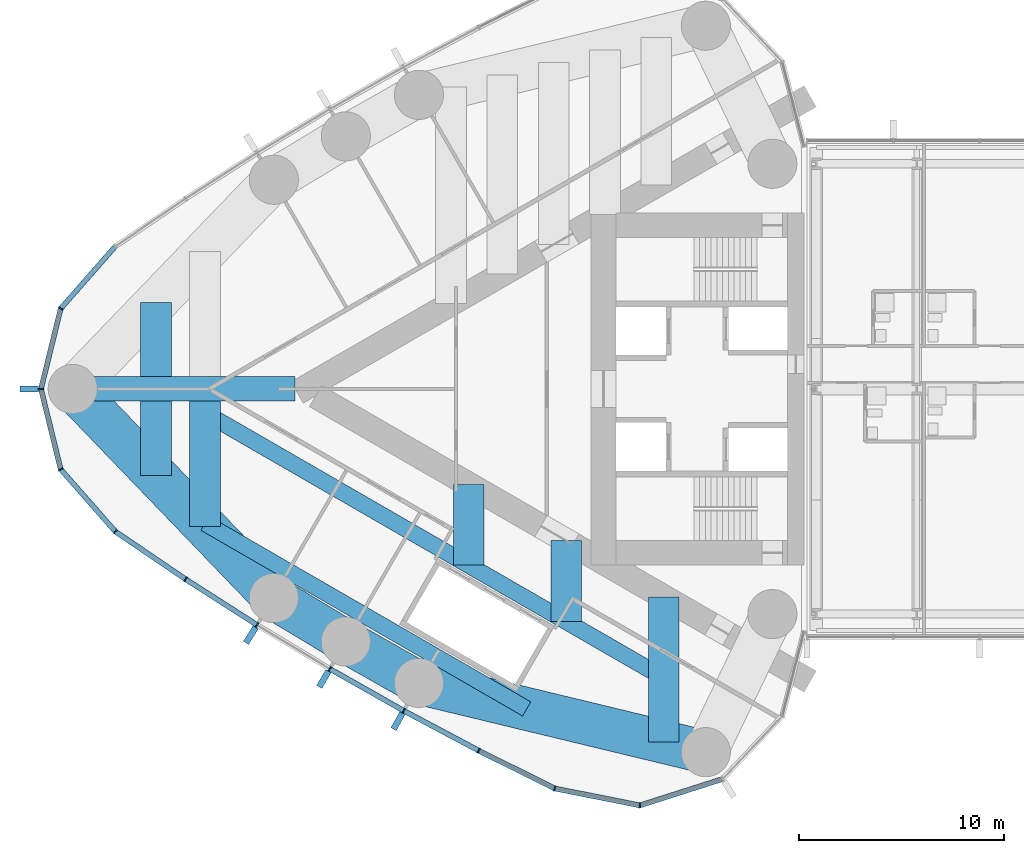
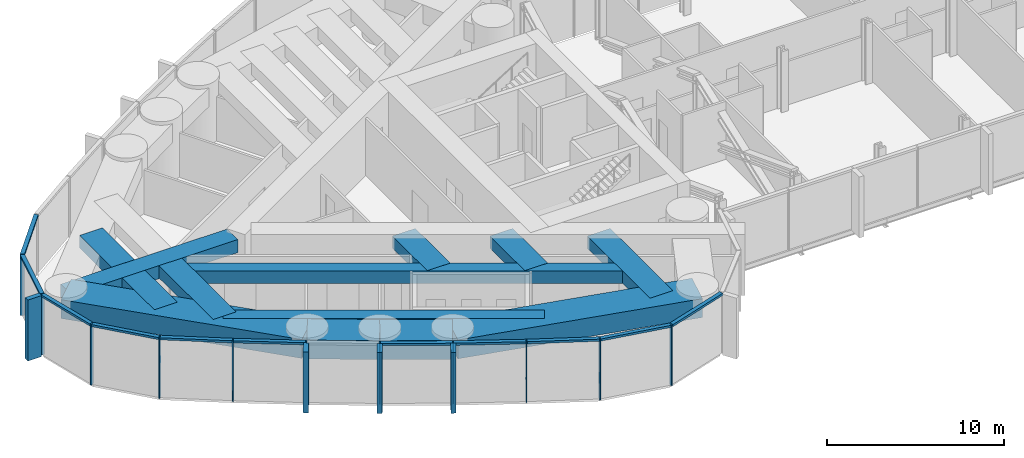
# One storey, part 3 of 23: 26 members, 13 beams, 1 element without a shape of its own.
"""IFC4 building model written with IfcOpenShell, lengths in metres."""

from ifc_helpers import new_model, si_unit, direction, frame, origin, origin_2d, place, context, subcontext, project, spatial, rectangle, hollow_rectangle, extrude, material, material_profile, profile_set, type_object, element, aggregate, save


model = new_model("IFC4")

# Units and contexts
model_context = context("Model", 3, precision=1e-05, world=origin(), true_north=direction((0.0, 1.0)))
body_context = subcontext(model_context, "Body", "Model", "MODEL_VIEW")
ifc_project = project(units=[si_unit("LENGTHUNIT", "METRE"), si_unit("AREAUNIT", "SQUARE_METRE"), si_unit("VOLUMEUNIT", "CUBIC_METRE"), si_unit("PLANEANGLEUNIT", "RADIAN"), si_unit("MASSUNIT", "GRAM", prefix="KILO")], contexts=[model_context])

# Site, building, storey
site_placement = place(None, origin())
site = spatial("IfcSite", under=ifc_project, at=site_placement, CompositionType="ELEMENT")
building_placement = place(site_placement, origin())
building = spatial("IfcBuilding", under=site, at=building_placement, Name="Lancet Gate Hotel", CompositionType="ELEMENT")
storey_placement = place(building_placement, frame((0.0, 0.0, 247.699951171875)))
storey = spatial("IfcBuildingStorey", under=building, at=storey_placement, Name="L66", CompositionType="ELEMENT", Elevation=247.699951171875)

# Curtain wall, members
ifc_material_1 = material(Name="Aluminium curtain wall", Category="aluminium")
curtain_wall_type = type_object("IfcCurtainWallType", Name="Sky deck full-height glazing", PredefinedType="USERDEFINED", material=ifc_material_1)
curtain_wall_placement = place(storey_placement, origin())
curtain_wall = element("IfcCurtainWall", 1, at=curtain_wall_placement, inside=storey, type_object=curtain_wall_type, Name="T1 L66 curtain wall 1", ObjectType="UNITISED CURTAIN WALL", PredefinedType="USERDEFINED")
ifc_material_2 = material(Name="Aluminium mullion", Category="aluminium")
ifc_material_profile_1 = material_profile(ifc_material_2, rectangle(XDim=0.06494140625, YDim=0.25, at=origin_2d()), Name="MULLION 65x250")
ifc_profile_set_1 = profile_set([ifc_material_profile_1], Name="Aluminium mullion")
member_type_1 = type_object("IfcMemberType", Name="Aluminium mullion 65x250", PredefinedType="MULLION", material=ifc_profile_set_1)
member_1_placement = place(storey_placement, frame((-63.822021484375, 3.928466796875, 0.0), z_axis=(0.0, 0.0, 1.0), x_axis=(-0.46217799743, -0.886787177789, 0.0)))
member_1 = element("IfcMember", 2, at=member_1_placement, type_object=member_type_1, Name="T1 L66 curtain wall 1 mullion 12", PredefinedType="MULLION", context=body_context, shape_type="SweptSolid", body=[
    extrude(rectangle(XDim=0.06494140625, YDim=0.25, at=origin_2d()), origin(), (0.0, 0.0, 1.0), 4.199951171875),
])
member_2_placement = place(storey_placement, frame((-64.7841796875, 0.0, 0.0), z_axis=(0.0, 0.0, 1.0), x_axis=(0.0, -1.0, 0.0)))
member_2 = element("IfcMember", 3, at=member_2_placement, type_object=member_type_1, Name="T1 L66 curtain wall 1 mullion 13", PredefinedType="MULLION", context=body_context, shape_type="SweptSolid", body=[
    extrude(rectangle(XDim=0.06494140625, YDim=0.25, at=origin_2d()), origin(), (0.0, 0.0, 1.0), 4.199951171875),
])
member_3_placement = place(storey_placement, frame((-63.822021484375, -3.928466796875, 0.0), z_axis=(0.0, 0.0, 1.0), x_axis=(0.46217799743, -0.886787177789, 0.0)))
member_3 = element("IfcMember", 4, at=member_3_placement, type_object=member_type_1, Name="T1 L66 curtain wall 1 mullion 14", PredefinedType="MULLION", context=body_context, shape_type="SweptSolid", body=[
    extrude(rectangle(XDim=0.06494140625, YDim=0.25, at=origin_2d()), origin(), (0.0, 0.0, 1.0), 4.199951171875),
])
member_4_placement = place(storey_placement, frame((-61.15283203125, -6.967529296875, 0.0), z_axis=(0.0, 0.0, 1.0), x_axis=(0.750715604757, -0.660625522345, 0.0)))
member_4 = element("IfcMember", 5, at=member_4_placement, type_object=member_type_1, Name="T1 L66 curtain wall 1 mullion 15", PredefinedType="MULLION", context=body_context, shape_type="SweptSolid", body=[
    extrude(rectangle(XDim=0.06494140625, YDim=0.25, at=origin_2d()), origin(), (0.0, 0.0, 1.0), 4.199951171875),
])
member_5_placement = place(storey_placement, frame((-57.72021484375, -9.298095703125, 0.0), z_axis=(0.0, 0.0, 1.0), x_axis=(0.834827178542, -0.550512108829, 0.0)))
member_5 = element("IfcMember", 6, at=member_5_placement, type_object=member_type_1, Name="T1 L66 curtain wall 1 mullion 16", PredefinedType="MULLION", context=body_context, shape_type="SweptSolid", body=[
    extrude(rectangle(XDim=0.06494140625, YDim=0.25, at=origin_2d()), origin(), (0.0, 0.0, 1.0), 4.199951171875),
])
member_6_placement = place(storey_placement, frame((-54.225830078125, -11.535400390625, 0.0), z_axis=(0.0, 0.0, 1.0), x_axis=(0.849342388216, -0.527842313176, 0.0)))
member_6 = element("IfcMember", 7, at=member_6_placement, type_object=member_type_1, Name="T1 L66 curtain wall 1 mullion 17", PredefinedType="MULLION", context=body_context, shape_type="SweptSolid", body=[
    extrude(rectangle(XDim=0.06494140625, YDim=0.25, at=origin_2d()), origin(), (0.0, 0.0, 1.0), 4.199951171875),
])
member_7_placement = place(storey_placement, frame((-50.67236328125, -13.677978515625, 0.0), z_axis=(0.0, 0.0, 1.0), x_axis=(0.863242155108, -0.504790037189, 0.0)))
member_7 = element("IfcMember", 8, at=member_7_placement, type_object=member_type_1, Name="T1 L66 curtain wall 1 mullion 18", PredefinedType="MULLION", context=body_context, shape_type="SweptSolid", body=[
    extrude(rectangle(XDim=0.06494140625, YDim=0.25, at=origin_2d()), origin(), (0.0, 0.0, 1.0), 4.199951171875),
])
member_8_placement = place(storey_placement, frame((-47.062744140625, -15.72412109375, 0.0), z_axis=(0.0, 0.0, 1.0), x_axis=(0.876516407283, -0.481371984815, 0.0)))
member_8 = element("IfcMember", 9, at=member_8_placement, type_object=member_type_1, Name="T1 L66 curtain wall 1 mullion 19", PredefinedType="MULLION", context=body_context, shape_type="SweptSolid", body=[
    extrude(rectangle(XDim=0.06494140625, YDim=0.25, at=origin_2d()), origin(), (0.0, 0.0, 1.0), 4.199951171875),
])
member_9_placement = place(storey_placement, frame((-43.3994140625, -17.67236328125, 0.0), z_axis=(0.0, 0.0, 1.0), x_axis=(0.889155526065, -0.457605125046, 0.0)))
member_9 = element("IfcMember", 10, at=member_9_placement, type_object=member_type_1, Name="T1 L66 curtain wall 1 mullion 20", PredefinedType="MULLION", context=body_context, shape_type="SweptSolid", body=[
    extrude(rectangle(XDim=0.06494140625, YDim=0.25, at=origin_2d()), origin(), (0.0, 0.0, 1.0), 4.199951171875),
])
member_10_placement = place(storey_placement, frame((-39.684814453125, -19.521240234375, 0.0), z_axis=(0.0, 0.0, 1.0), x_axis=(0.946887706423, -0.321564412561, 0.0)))
member_10 = element("IfcMember", 11, at=member_10_placement, type_object=member_type_1, Name="T1 L66 curtain wall 1 mullion 21", PredefinedType="MULLION", context=body_context, shape_type="SweptSolid", body=[
    extrude(rectangle(XDim=0.06494140625, YDim=0.25, at=origin_2d()), origin(), (0.0, 0.0, 1.0), 4.199951171875),
])
member_11_placement = place(storey_placement, frame((-35.520751953125, -20.347900390625, 0.0), z_axis=(0.0, 0.0, 1.0), x_axis=(0.998409168318, 0.056383797491, 0.0)))
member_11 = element("IfcMember", 12, at=member_11_placement, type_object=member_type_1, Name="T1 L66 curtain wall 1 mullion 22", PredefinedType="MULLION", context=body_context, shape_type="SweptSolid", body=[
    extrude(rectangle(XDim=0.06494140625, YDim=0.25, at=origin_2d()), origin(), (0.0, 0.0, 1.0), 4.199951171875),
])
ifc_material_3 = material(Name="Aluminium transom", Category="aluminium")
ifc_material_profile_2 = material_profile(ifc_material_3, rectangle(XDim=0.25, YDim=0.14990234375, at=origin_2d()), Name="TRANSOM 250x150")
ifc_profile_set_2 = profile_set([ifc_material_profile_2], Name="Aluminium transom")
member_type_2 = type_object("IfcMemberType", Name="Aluminium transom 250x150", PredefinedType="USERDEFINED", material=ifc_profile_set_2)
member_12_placement = place(storey_placement, frame((-61.17431640625, 6.943115234375, 4.125), z_axis=(-0.659893258593, -0.751359359603, 0.0), x_axis=(0.751359359603, -0.659893258593, 0.0)))
member_12 = element("IfcMember", 13, at=member_12_placement, type_object=member_type_2, Name="T1 L66 curtain wall 1 transom 11", ObjectType="TRANSOM", PredefinedType="USERDEFINED", context=body_context, shape_type="SweptSolid", body=[
    extrude(rectangle(XDim=0.25, YDim=0.14990234375, at=origin_2d()), origin(), (0.0, 0.0, 1.0), 3.979736328125),
])
member_13_placement = place(storey_placement, frame((-63.829833984375, 3.89697265625, 4.125), z_axis=(-0.237899438372, -0.971289790548, 0.0), x_axis=(0.971289790548, -0.237899438372, 0.0)))
member_13 = element("IfcMember", 14, at=member_13_placement, type_object=member_type_2, Name="T1 L66 curtain wall 1 transom 12", ObjectType="TRANSOM", PredefinedType="USERDEFINED", context=body_context, shape_type="SweptSolid", body=[
    extrude(rectangle(XDim=0.25, YDim=0.14990234375, at=origin_2d()), origin(), (0.0, 0.0, 1.0), 3.979736328125),
])
member_14_placement = place(storey_placement, frame((-64.776611328125, -0.031494140625, 4.125), z_axis=(0.237899438372, -0.971289790548, 0.0), x_axis=(0.971289790548, 0.237899438372, 0.0)))
member_14 = element("IfcMember", 15, at=member_14_placement, type_object=member_type_2, Name="T1 L66 curtain wall 1 transom 13", ObjectType="TRANSOM", PredefinedType="USERDEFINED", context=body_context, shape_type="SweptSolid", body=[
    extrude(rectangle(XDim=0.25, YDim=0.14990234375, at=origin_2d()), origin(), (0.0, 0.0, 1.0), 3.979736328125),
])
member_15_placement = place(storey_placement, frame((-63.800537109375, -3.952880859375, 4.125), z_axis=(0.659893258593, -0.751359359603, 0.0), x_axis=(0.751359359603, 0.659893258593, 0.0)))
member_15 = element("IfcMember", 16, at=member_15_placement, type_object=member_type_2, Name="T1 L66 curtain wall 1 transom 14", ObjectType="TRANSOM", PredefinedType="USERDEFINED", context=body_context, shape_type="SweptSolid", body=[
    extrude(rectangle(XDim=0.25, YDim=0.14990234375, at=origin_2d()), origin(), (0.0, 0.0, 1.0), 3.979736328125),
])
member_16_placement = place(storey_placement, frame((-61.1259765625, -6.98583984375, 4.125), z_axis=(0.827348780456, -0.561688521761, 0.0), x_axis=(0.561688521761, 0.827348780456, 0.0)))
member_16 = element("IfcMember", 17, at=member_16_placement, type_object=member_type_2, Name="T1 L66 curtain wall 1 transom 15", ObjectType="TRANSOM", PredefinedType="USERDEFINED", context=body_context, shape_type="SweptSolid", body=[
    extrude(rectangle(XDim=0.25, YDim=0.14990234375, at=origin_2d()), origin(), (0.0, 0.0, 1.0), 4.083984375),
])
member_17_placement = place(storey_placement, frame((-57.692626953125, -9.315673828125, 4.125), z_axis=(0.842144358733, -0.539252147937, 0.0), x_axis=(0.539252147937, 0.842144358733, 0.0)))
member_17 = element("IfcMember", 18, at=member_17_placement, type_object=member_type_2, Name="T1 L66 curtain wall 1 transom 16", ObjectType="TRANSOM", PredefinedType="USERDEFINED", context=body_context, shape_type="SweptSolid", body=[
    extrude(rectangle(XDim=0.25, YDim=0.14990234375, at=origin_2d()), origin(), (0.0, 0.0, 1.0), 4.084228515625),
])
member_18_placement = place(storey_placement, frame((-50.644287109375, -13.694091796875, 4.125), z_axis=(0.869977740049, -0.493090997503, 0.0), x_axis=(0.493090997503, 0.869977740049, 0.0)))
member_18 = element("IfcMember", 19, at=member_18_placement, type_object=member_type_2, Name="T1 L66 curtain wall 1 transom 18", ObjectType="TRANSOM", PredefinedType="USERDEFINED", context=body_context, shape_type="SweptSolid", body=[
    extrude(rectangle(XDim=0.25, YDim=0.14990234375, at=origin_2d()), origin(), (0.0, 0.0, 1.0), 4.084228515625),
])
member_19_placement = place(storey_placement, frame((-47.0341796875, -15.739501953125, 4.125), z_axis=(0.882944619844, -0.469477154171, 0.0), x_axis=(0.469477154171, 0.882944619844, 0.0)))
member_19 = element("IfcMember", 20, at=member_19_placement, type_object=member_type_2, Name="T1 L66 curtain wall 1 transom 19", ObjectType="TRANSOM", PredefinedType="USERDEFINED", context=body_context, shape_type="SweptSolid", body=[
    extrude(rectangle(XDim=0.25, YDim=0.14990234375, at=origin_2d()), origin(), (0.0, 0.0, 1.0), 4.084228515625),
])
member_20_placement = place(storey_placement, frame((-43.370361328125, -17.686767578125, 4.125), z_axis=(0.895226720479, -0.445610950202, 0.0), x_axis=(0.445610950202, 0.895226720479, 0.0)))
member_20 = element("IfcMember", 21, at=member_20_placement, type_object=member_type_2, Name="T1 L66 curtain wall 1 transom 20", ObjectType="TRANSOM", PredefinedType="USERDEFINED", context=body_context, shape_type="SweptSolid", body=[
    extrude(rectangle(XDim=0.25, YDim=0.14990234375, at=origin_2d()), origin(), (0.0, 0.0, 1.0), 4.08447265625),
])
member_21_placement = place(storey_placement, frame((-39.65283203125, -19.527587890625, 4.125), z_axis=(0.980858234867, -0.194723196085, 0.0), x_axis=(0.194723196085, 0.980858234867, 0.0)))
member_21 = element("IfcMember", 22, at=member_21_placement, type_object=member_type_2, Name="T1 L66 curtain wall 1 transom 21", ObjectType="TRANSOM", PredefinedType="USERDEFINED", context=body_context, shape_type="SweptSolid", body=[
    extrude(rectangle(XDim=0.25, YDim=0.14990234375, at=origin_2d()), origin(), (0.0, 0.0, 1.0), 4.18017578125),
])
member_22_placement = place(storey_placement, frame((-35.48974609375, -20.338134765625, 4.125), z_axis=(0.952697713775, 0.303919506068, 0.0), x_axis=(-0.303919506068, 0.952697713775, 0.0)))
member_22 = element("IfcMember", 23, at=member_22_placement, type_object=member_type_2, Name="T1 L66 curtain wall 1 transom 22", ObjectType="TRANSOM", PredefinedType="USERDEFINED", context=body_context, shape_type="SweptSolid", body=[
    extrude(rectangle(XDim=0.25, YDim=0.14990234375, at=origin_2d()), origin(), (0.0, 0.0, 1.0), 4.180419921875),
])

# Beams
ifc_material_4 = material(Name="Concrete C50/60", Category="concrete")
ifc_material_profile_3 = material_profile(ifc_material_4, rectangle(XDim=2.10009765625, YDim=1.300048828125, at=origin_2d()), Name="RC 2100x1300")
ifc_profile_set_3 = profile_set([ifc_material_profile_3], Name="Concrete C50/60")
beam_type_1 = type_object("IfcBeamType", Name="Edge beam RC 2100x1300", PredefinedType="SPANDREL", material=ifc_profile_set_3)
beam_1_placement = place(storey_placement, frame((-63.234375, 0.0, 3.300048828125), z_axis=(0.693134527053, -0.720808245934, 0.0), x_axis=(0.720808245934, 0.693134527053, 0.0)))
element("IfcBeam", 24, at=beam_1_placement, inside=storey, type_object=beam_type_1, Name="T1 edge beam EB1 L66", PredefinedType="SPANDREL", context=body_context, shape_type="SweptSolid", body=[
    extrude(rectangle(XDim=2.10009765625, YDim=1.300048828125, at=origin_2d()), origin(), (0.0, 0.0, 1.0), 14.17724609375),
])
for number, where, z_axis, x_axis, name in (
    (25, (-53.40771484375, -10.218994140625, 3.300048828125), (0.856358061538, -0.516382484636, 0.0), (0.516382484636, 0.856358061538, 0.0), "T1 edge beam EB1 L66"),
    (26, (-49.89013671875, -12.340087890625, 3.300048828125), (0.869978841992, -0.493089053301, 0.0), (0.493089053301, 0.869978841992, 0.0), "T1 edge beam EB1 L66"),
):
    element("IfcBeam", number, at=place(storey_placement, frame(where, z_axis=z_axis, x_axis=x_axis)), inside=storey, type_object=beam_type_1, Name=name, PredefinedType="SPANDREL", context=body_context, shape_type="SweptSolid", body=[
        extrude(rectangle(XDim=2.10009765625, YDim=1.300048828125, at=origin_2d()), origin(), (0.0, 0.0, 1.0), 4.107666015625),
    ])
beam_2_placement = place(storey_placement, frame((-46.316650390625, -14.365478515625, 3.300048828125), z_axis=(0.972132796948, -0.234430853556, 0.0), x_axis=(0.234430853556, 0.972132796948, 0.0)))
element("IfcBeam", 27, at=beam_2_placement, inside=storey, type_object=beam_type_1, Name="T1 edge beam EB1 L66", PredefinedType="SPANDREL", context=body_context, shape_type="SweptSolid", body=[
    extrude(rectangle(XDim=2.10009765625, YDim=1.300048828125, at=origin_2d()), origin(), (0.0, 0.0, 1.0), 14.41748046875),
])

# Member
ifc_material_5 = material(Name="Precast concrete C50/60", Category="concrete")
ifc_material_profile_4 = material_profile(ifc_material_5, rectangle(XDim=0.300048828125, YDim=0.89990234375, at=origin_2d()), Name="FIN 300x900")
ifc_profile_set_4 = profile_set([ifc_material_profile_4], Name="Precast concrete C50/60")
member_type_3 = type_object("IfcMemberType", Name="Exposed concrete fin 300x900", PredefinedType="USERDEFINED", material=ifc_profile_set_4)
member_23_placement = place(storey_placement, frame((-65.359375, 0.0, 0.0), z_axis=(0.0, 0.0, 1.0), x_axis=(0.0, -1.0, 0.0)))
member_23 = element("IfcMember", 28, at=member_23_placement, type_object=member_type_3, Name="T1 L66 curtain wall 1 fin 13", ObjectType="FIN", PredefinedType="USERDEFINED", context=body_context, shape_type="SweptSolid", body=[
    extrude(rectangle(XDim=0.300048828125, YDim=0.89990234375, at=origin_2d()), origin(), (0.0, 0.0, 1.0), 4.199951171875),
])

member_24_placement = place(storey_placement, frame((-54.529296875, -12.02392578125, 0.0), z_axis=(0.0, 0.0, 1.0), x_axis=(0.849342388216, -0.527842313176, 0.0)))
member_24 = element("IfcMember", 29, at=member_24_placement, type_object=member_type_3, Name="T1 L66 curtain wall 1 fin 17", ObjectType="FIN", PredefinedType="USERDEFINED", context=body_context, shape_type="SweptSolid", body=[
    extrude(rectangle(XDim=0.300048828125, YDim=0.89990234375, at=origin_2d()), origin(), (0.0, 0.0, 1.0), 4.199951171875),
])

member_25_placement = place(storey_placement, frame((-50.962646484375, -14.17431640625, 0.0), z_axis=(0.0, 0.0, 1.0), x_axis=(0.863242155108, -0.504790037189, 0.0)))
member_25 = element("IfcMember", 30, at=member_25_placement, type_object=member_type_3, Name="T1 L66 curtain wall 1 fin 18", ObjectType="FIN", PredefinedType="USERDEFINED", context=body_context, shape_type="SweptSolid", body=[
    extrude(rectangle(XDim=0.300048828125, YDim=0.89990234375, at=origin_2d()), origin(), (0.0, 0.0, 1.0), 4.199951171875),
])

member_26_placement = place(storey_placement, frame((-47.339599609375, -16.22802734375, 0.0), z_axis=(0.0, 0.0, 1.0), x_axis=(0.876516407283, -0.481371984815, 0.0)))
member_26 = element("IfcMember", 31, at=member_26_placement, type_object=member_type_3, Name="T1 L66 curtain wall 1 fin 19", ObjectType="FIN", PredefinedType="USERDEFINED", context=body_context, shape_type="SweptSolid", body=[
    extrude(rectangle(XDim=0.300048828125, YDim=0.89990234375, at=origin_2d()), origin(), (0.0, 0.0, 1.0), 4.199951171875),
])

aggregate(curtain_wall, [member_1, member_2, member_23, member_3, member_4, member_5, member_6, member_24, member_7, member_25, member_8, member_26, member_9, member_10, member_11, member_12, member_13, member_14, member_15, member_16, member_17, member_18, member_19, member_20, member_21, member_22])

# Beams
ifc_material_6 = material(Name="Concrete C50/60", Category="concrete")
ifc_material_profile_5 = material_profile(ifc_material_6, rectangle(XDim=1.5, YDim=0.85009765625, at=origin_2d()), Name="RC 1500x850")
ifc_profile_set_5 = profile_set([ifc_material_profile_5], Name="Concrete C50/60")
beam_type_2 = type_object("IfcBeamType", Name="Floor beam RC 1500x850", PredefinedType="BEAM", material=ifc_profile_set_5)
beam_3_placement = place(storey_placement, frame((-34.353515625, -10.169921875, 3.525146484375), z_axis=(0.0, -1.0, 0.0), x_axis=(1.0, 0.0, 0.0)))
element("IfcBeam", 32, at=beam_3_placement, inside=storey, type_object=beam_type_2, Name="T1 floor beam F01N L66", PredefinedType="BEAM", context=body_context, shape_type="SweptSolid", body=[
    extrude(rectangle(XDim=1.5, YDim=0.85009765625, at=origin_2d()), origin(), (0.0, 0.0, 1.0), 7.08056640625),
])
beam_4_placement = place(storey_placement, frame((-56.768310546875, -0.60009765625, 3.525146484375), z_axis=(0.0, -1.0, 0.0), x_axis=(1.0, 0.0, 0.0)))
element("IfcBeam", 33, at=beam_4_placement, inside=storey, type_object=beam_type_2, Name="T1 floor beam F10N L66", PredefinedType="BEAM", context=body_context, shape_type="SweptSolid", body=[
    extrude(rectangle(XDim=1.5, YDim=0.85009765625, at=origin_2d()), origin(), (0.0, 0.0, 1.0), 6.1240234375),
])
for number, where, z_axis, x_axis, name in (
    (34, (-59.168212890625, 4.228271484375, 3.525146484375), (0.0, -1.0, 0.0), (1.0, 0.0, 0.0), "T1 floor beam F11S L66"),
    (35, (-59.168212890625, -0.60009765625, 3.525146484375), (0.0, -1.0, 0.0), (1.0, 0.0, 0.0), "T1 floor beam F12N L66"),
):
    element("IfcBeam", number, at=place(storey_placement, frame(where, z_axis=z_axis, x_axis=x_axis)), inside=storey, type_object=beam_type_2, Name=name, PredefinedType="BEAM", context=body_context, shape_type="SweptSolid", body=[
        extrude(rectangle(XDim=1.5, YDim=0.85009765625, at=origin_2d()), origin(), (0.0, 0.0, 1.0), 3.628173828125),
    ])
for number, where, z_axis, x_axis, name in (
    (36, (-39.122314453125, -7.41650390625, 3.525146484375), (0.0, -1.0, 0.0), (1.0, 0.0, 0.0), "T1 floor beam F04NA L66"),
    (37, (-43.891357421875, -4.663330078125, 3.525146484375), (0.0, -1.0, 0.0), (1.0, 0.0, 0.0), "T1 floor beam F07NA L66"),
):
    element("IfcBeam", number, at=place(storey_placement, frame(where, z_axis=z_axis, x_axis=x_axis)), inside=storey, type_object=beam_type_2, Name=name, PredefinedType="BEAM", context=body_context, shape_type="SweptSolid", body=[
        extrude(rectangle(XDim=1.5, YDim=0.85009765625, at=origin_2d()), origin(), (0.0, 0.0, 1.0), 3.945556640625),
    ])
ifc_material_7 = material(Name="Concrete C50/60", Category="concrete")
ifc_material_profile_6 = material_profile(ifc_material_7, rectangle(XDim=1.199951171875, YDim=0.89990234375, at=origin_2d()), Name="RC 1200x900")
ifc_profile_set_6 = profile_set([ifc_material_profile_6], Name="Concrete C50/60")
beam_type_3 = type_object("IfcBeamType", Name="Radial floor beam RC 1200x900", PredefinedType="BEAM", material=ifc_profile_set_6)
beam_5_placement = place(storey_placement, frame((-63.234375, 0.0, 3.5), z_axis=(1.0, 0.0, 0.0), x_axis=(0.0, 1.0, 0.0)))
element("IfcBeam", 38, at=beam_5_placement, inside=storey, type_object=beam_type_3, Name="T1 radial beam CA L66", PredefinedType="BEAM", context=body_context, shape_type="SweptSolid", body=[
    extrude(rectangle(XDim=1.199951171875, YDim=0.89990234375, at=origin_2d()), origin(), (0.0, 0.0, 1.0), 10.8662109375),
])
ifc_material_8 = material(Name="Steel S460QL", Category="steel")
ifc_material_profile_7 = material_profile(ifc_material_8, hollow_rectangle(XDim=0.800048828125, YDim=0.85009765625, WallThickness=0.080078125, at=origin_2d()), Name="BOX 850x800x80")
ifc_profile_set_7 = profile_set([ifc_material_profile_7], Name="Steel S460QL")
beam_type_4 = type_object("IfcBeamType", Name="Trimmer beam BOX 850x800x80", PredefinedType="BEAM", material=ifc_profile_set_7)
beam_6_placement = place(storey_placement, frame((-34.353515625, -14.115234375, 3.525146484375), z_axis=(-0.866038088301, 0.499978029129, 0.0), x_axis=(-0.499978029129, -0.866038088301, 0.0)))
element("IfcBeam", 39, at=beam_6_placement, inside=storey, type_object=beam_type_4, Name="T1 trimmer beam TR01N L66", PredefinedType="BEAM", context=body_context, shape_type="SweptSolid", body=[
    extrude(hollow_rectangle(XDim=0.800048828125, YDim=0.85009765625, WallThickness=0.080078125, at=origin_2d()), origin(), (0.0, 0.0, 1.0), 25.882080078125),
])
beam_7_placement = place(storey_placement, frame((-41.05322265625, -15.634765625, 3.525146484375), z_axis=(-0.866039732055, 0.499975181887, 0.0), x_axis=(-0.499975181887, -0.866039732055, 0.0)))
element("IfcBeam", 40, at=beam_7_placement, inside=storey, type_object=beam_type_4, Name="T1 trimmer beam TR02N L66", PredefinedType="BEAM", context=body_context, shape_type="SweptSolid", body=[
    extrude(hollow_rectangle(XDim=0.800048828125, YDim=0.85009765625, WallThickness=0.080078125, at=origin_2d()), origin(), (0.0, 0.0, 1.0), 18.14599609375),
])

save(model, "model.ifc")
